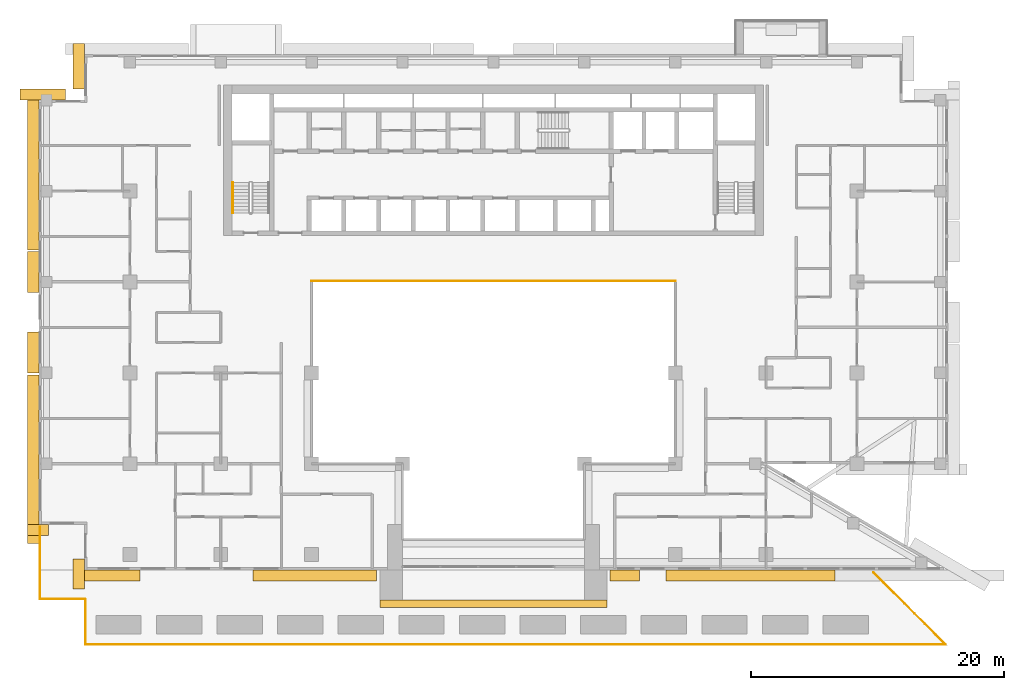
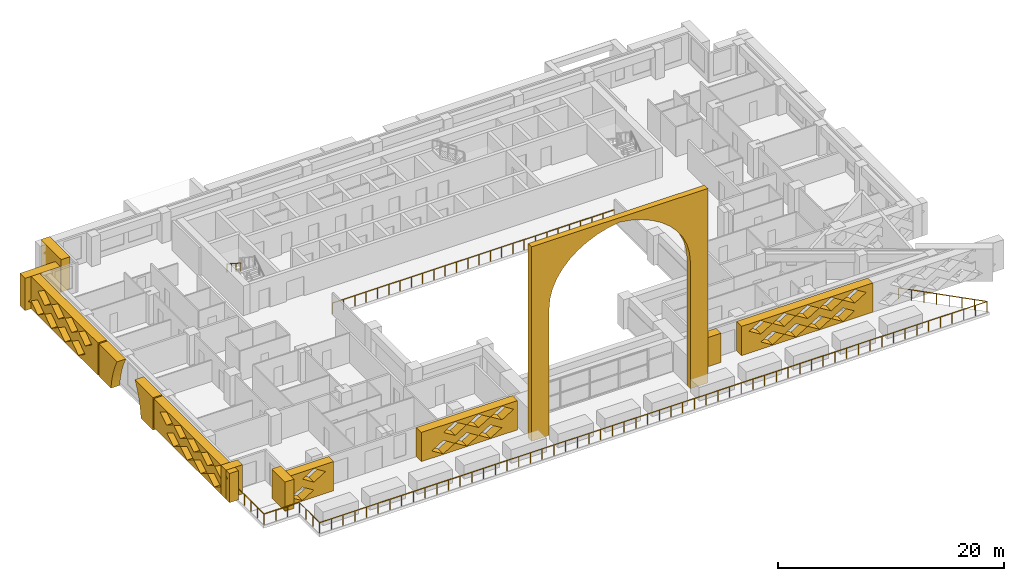
# One storey, part 14 of 17: 13 coverings, 4 railings.
"""IFC4 building model written with IfcOpenShell, lengths in metres."""

from ifc_helpers import new_model, si_unit, direction, frame, origin, origin_2d, place, context, subcontext, project, spatial, polyline, circle, outline, extrude, material, layer, layer_set, type_object, element, save


model = new_model("IFC4")

# Units and contexts
model_context = context("Model", 3, precision=1e-05, world=origin(), true_north=direction((0.0, 1.0)))
body_context = subcontext(model_context, "Body", "Model", "MODEL_VIEW")
ifc_project = project(units=[si_unit("LENGTHUNIT", "METRE"), si_unit("AREAUNIT", "SQUARE_METRE"), si_unit("VOLUMEUNIT", "CUBIC_METRE"), si_unit("PLANEANGLEUNIT", "RADIAN"), si_unit("MASSUNIT", "GRAM", prefix="KILO")], contexts=[model_context])

# Site, building, storey
site_placement = place(None, origin())
site = spatial("IfcSite", under=ifc_project, at=site_placement, CompositionType="ELEMENT")
building_placement = place(site_placement, origin())
building = spatial("IfcBuilding", under=site, at=building_placement, Name="Saffron Iwan Residences", CompositionType="ELEMENT")
storey_placement = place(building_placement, frame((0.0, 0.0, 113.0)))
storey = spatial("IfcBuildingStorey", under=building, at=storey_placement, Name="L29", CompositionType="ELEMENT", Elevation=113.0)

# Railing
ifc_material_1 = material(Name="Stainless steel 316", Category="steel")
railing_type_1 = type_object("IfcRailingType", Name="Atrium guard 1150", PredefinedType="GUARDRAIL", material=ifc_material_1)
railing_1_placement = place(storey_placement, frame((36.0, 62.47509765625, 0.0)))
element("IfcRailing", 1, at=railing_1_placement, inside=storey, type_object=railing_type_1, Name="Atrium guard L29", PredefinedType="GUARDRAIL", context=body_context, shape_type="SweptSolid", body=[
    extrude(circle(Radius=0.02392578125, at=origin_2d()), frame((0.0, 0.0, 1.1259765625), z_axis=(1.0, 0.0, 0.0), x_axis=(0.0, 1.0, 0.0)), (0.0, 0.0, 1.0), 28.800048828125),
    extrude(circle(Radius=0.02099609375, at=origin_2d()), origin(), (0.0, 0.0, 1.0), 1.101806640625),
    extrude(circle(Radius=0.02099609375, at=origin_2d()), frame((1.152099609375, 0.0, 0.0)), (0.0, 0.0, 1.0), 1.101806640625),
    extrude(circle(Radius=0.02099609375, at=origin_2d()), frame((2.303955078125, 0.0, 0.0)), (0.0, 0.0, 1.0), 1.101806640625),
    extrude(circle(Radius=0.02099609375, at=origin_2d()), frame((3.4560546875, 0.0, 0.0)), (0.0, 0.0, 1.0), 1.101806640625),
    extrude(circle(Radius=0.02099609375, at=origin_2d()), frame((4.60791015625, 0.0, 0.0)), (0.0, 0.0, 1.0), 1.101806640625),
    extrude(circle(Radius=0.02099609375, at=origin_2d()), frame((5.760009765625, 0.0, 0.0)), (0.0, 0.0, 1.0), 1.101806640625),
    extrude(circle(Radius=0.02099609375, at=origin_2d()), frame((6.912109375, 0.0, 0.0)), (0.0, 0.0, 1.0), 1.101806640625),
    extrude(circle(Radius=0.02099609375, at=origin_2d()), frame((8.06396484375, 0.0, 0.0)), (0.0, 0.0, 1.0), 1.101806640625),
    extrude(circle(Radius=0.02099609375, at=origin_2d()), frame((9.216064453125, 0.0, 0.0)), (0.0, 0.0, 1.0), 1.101806640625),
    extrude(circle(Radius=0.02099609375, at=origin_2d()), frame((10.367919921875, 0.0, 0.0)), (0.0, 0.0, 1.0), 1.101806640625),
    extrude(circle(Radius=0.02099609375, at=origin_2d()), frame((11.52001953125, 0.0, 0.0)), (0.0, 0.0, 1.0), 1.101806640625),
    extrude(circle(Radius=0.02099609375, at=origin_2d()), frame((12.672119140625, 0.0, 0.0)), (0.0, 0.0, 1.0), 1.101806640625),
    extrude(circle(Radius=0.02099609375, at=origin_2d()), frame((13.823974609375, 0.0, 0.0)), (0.0, 0.0, 1.0), 1.101806640625),
    extrude(circle(Radius=0.02099609375, at=origin_2d()), frame((14.97607421875, 0.0, 0.0)), (0.0, 0.0, 1.0), 1.101806640625),
    extrude(circle(Radius=0.02099609375, at=origin_2d()), frame((16.1279296875, 0.0, 0.0)), (0.0, 0.0, 1.0), 1.101806640625),
    extrude(circle(Radius=0.02099609375, at=origin_2d()), frame((17.280029296875, 0.0, 0.0)), (0.0, 0.0, 1.0), 1.101806640625),
    extrude(circle(Radius=0.02099609375, at=origin_2d()), frame((18.43212890625, 0.0, 0.0)), (0.0, 0.0, 1.0), 1.101806640625),
    extrude(circle(Radius=0.02099609375, at=origin_2d()), frame((19.583984375, 0.0, 0.0)), (0.0, 0.0, 1.0), 1.101806640625),
    extrude(circle(Radius=0.02099609375, at=origin_2d()), frame((20.736083984375, 0.0, 0.0)), (0.0, 0.0, 1.0), 1.101806640625),
    extrude(circle(Radius=0.02099609375, at=origin_2d()), frame((21.887939453125, 0.0, 0.0)), (0.0, 0.0, 1.0), 1.101806640625),
    extrude(circle(Radius=0.02099609375, at=origin_2d()), frame((23.0400390625, 0.0, 0.0)), (0.0, 0.0, 1.0), 1.101806640625),
    extrude(circle(Radius=0.02099609375, at=origin_2d()), frame((24.192138671875, 0.0, 0.0)), (0.0, 0.0, 1.0), 1.101806640625),
    extrude(circle(Radius=0.02099609375, at=origin_2d()), frame((25.343994140625, 0.0, 0.0)), (0.0, 0.0, 1.0), 1.101806640625),
    extrude(circle(Radius=0.02099609375, at=origin_2d()), frame((26.49609375, 0.0, 0.0)), (0.0, 0.0, 1.0), 1.101806640625),
    extrude(circle(Radius=0.02099609375, at=origin_2d()), frame((27.64794921875, 0.0, 0.0)), (0.0, 0.0, 1.0), 1.101806640625),
    extrude(circle(Radius=0.02099609375, at=origin_2d()), frame((28.800048828125, 0.0, 0.0)), (0.0, 0.0, 1.0), 1.101806640625),
])

# Coverings
ifc_material_2 = material(Name="Precast concrete C40/50 white painted", Category="concrete")
covering_type_1 = type_object("IfcCoveringType", Name="IWAN PANEL PRECAST WHITE", PredefinedType="CLADDING", material=ifc_material_2)
covering_1_placement = place(storey_placement, frame((14.39990234375, 64.800048828125, -0.300048828125), z_axis=(-1.0, 0.0, 0.0), x_axis=(0.0, -1.0, 0.0)))
element("IfcCovering", 2, at=covering_1_placement, inside=storey, type_object=covering_type_1, Name="Iwan panel L29 F8.0", PredefinedType="CLADDING", context=body_context, shape_type="SweptSolid", body=[
    extrude(outline(polyline([(0.0, 0.0), (0.0, 3.5), (3.230712890625, 3.5), (3.10498046875, 3.276611328125), (2.802001953125, 2.621337890625), (2.55126953125, 1.944580078125), (2.354736328125, 1.25), (2.21337890625, 0.5419921875), (2.149169921875, 0.0), (0.0, 0.0)])), origin(), (0.0, 0.0, 1.0), 0.89990234375),
])
covering_2_placement = place(storey_placement, frame((14.39990234375, 64.800048828125, -0.300048828125), z_axis=(-1.0, 0.0, 0.0), x_axis=(0.0, -1.0, 0.0)))
element("IfcCovering", 3, at=covering_2_placement, inside=storey, type_object=covering_type_1, Name="Iwan panel L29 F8.1", PredefinedType="CLADDING", context=body_context, shape_type="SweptSolid", body=[
    extrude(outline(polyline([(9.60009765625, 3.5), (9.60009765625, 0.0), (7.45068359375, 0.0), (7.386474609375, 0.5419921875), (7.2451171875, 1.25), (7.048583984375, 1.944580078125), (6.798095703125, 2.621337890625), (6.4951171875, 3.276611328125), (6.369384765625, 3.5), (9.60009765625, 3.5)])), origin(), (0.0, 0.0, 1.0), 0.89990234375),
])
ifc_material_3 = material(Name="Precast concrete C40/50", Category="concrete")
covering_type_2 = type_object("IfcCoveringType", Name="OUTER SKIN LATTICE SCREEN", PredefinedType="CLADDING", material=ifc_material_3)
for number, where, z_axis, x_axis, name in (
    (4, (18.0, 81.300048828125, -0.300048828125), (-1.0, 0.0, 0.0), (0.0, -1.0, 0.0), "OUTER SKIN lattice screen L29 F6.0"),
    (5, (16.5, 76.800048828125, -0.300048828125), (0.0, 1.0, 0.0), (-1.0, 0.0, 0.0), "OUTER SKIN lattice screen L29 F7.0"),
):
    element("IfcCovering", number, at=place(storey_placement, frame(where, z_axis=z_axis, x_axis=x_axis)), inside=storey, type_object=covering_type_2, Name=name, PredefinedType="CLADDING", context=body_context, shape_type="SweptSolid", body=[
        extrude(outline(polyline([(0.0, 0.0), (3.60009765625, 0.0), (3.60009765625, 3.5), (0.0, 3.5), (0.0, 0.0)]), holes=[polyline([(0.919921875, 0.875), (2.10009765625, 0.06005859375), (3.280029296875, 0.875), (2.10009765625, 1.68994140625), (0.919921875, 0.875)])]), origin(), (0.0, 0.0, 1.0), 0.89990234375),
    ])
covering_3_placement = place(storey_placement, frame((14.39990234375, 77.699951171875, -0.300048828125), z_axis=(-1.0, 0.0, 0.0), x_axis=(0.0, -1.0, 0.0)))
element("IfcCovering", 6, at=covering_3_placement, inside=storey, type_object=covering_type_2, Name="OUTER SKIN lattice screen L29 F8.0", PredefinedType="CLADDING", context=body_context, shape_type="SweptSolid", body=[
    extrude(outline(polyline([(0.0, 0.0), (12.75, 0.0), (12.75, 3.5), (0.0, 3.5), (0.0, 0.0)]), holes=[polyline([(0.919921875, 0.875), (2.10009765625, 0.06005859375), (3.280029296875, 0.875), (2.10009765625, 1.68994140625), (0.919921875, 0.875)]), polyline([(3.320068359375, 0.875), (4.5, 0.06005859375), (5.679931640625, 0.875), (4.5, 1.68994140625), (3.320068359375, 0.875)]), polyline([(5.719970703125, 0.875), (6.89990234375, 0.06005859375), (8.080078125, 0.875), (6.89990234375, 1.68994140625), (5.719970703125, 0.875)]), polyline([(8.1201171875, 0.875), (9.300048828125, 0.06005859375), (10.47998046875, 0.875), (9.300048828125, 1.68994140625), (8.1201171875, 0.875)]), polyline([(2.1201171875, 2.625), (3.300048828125, 1.81005859375), (4.47998046875, 2.625), (3.300048828125, 3.43994140625), (2.1201171875, 2.625)]), polyline([(4.52001953125, 2.625), (5.699951171875, 1.81005859375), (6.8798828125, 2.625), (5.699951171875, 3.43994140625), (4.52001953125, 2.625)]), polyline([(6.919921875, 2.625), (8.10009765625, 1.81005859375), (9.280029296875, 2.625), (8.10009765625, 3.43994140625), (6.919921875, 2.625)]), polyline([(9.320068359375, 2.625), (10.5, 1.81005859375), (11.679931640625, 2.625), (10.5, 3.43994140625), (9.320068359375, 2.625)])]), origin(), (0.0, 0.0, 1.0), 0.89990234375),
])
covering_4_placement = place(storey_placement, frame((14.39990234375, 55.050048828125, 0.050048828125), z_axis=(-1.0, 0.0, 0.0), x_axis=(0.0, -1.0, 0.0)))
element("IfcCovering", 7, at=covering_4_placement, inside=storey, type_object=covering_type_2, Name="OUTER SKIN lattice screen L29 F8.1", PredefinedType="CLADDING", context=body_context, shape_type="SweptSolid", body=[
    extrude(outline(polyline([(0.0, 0.0), (13.35009765625, 0.0), (13.35009765625, 3.14990234375), (0.0, 3.14990234375), (0.0, 0.0)]), holes=[polyline([(2.27001953125, 0.78759765625), (3.449951171875, 0.06005859375), (4.6298828125, 0.78759765625), (3.449951171875, 1.514892578125), (2.27001953125, 0.78759765625)]), polyline([(4.669921875, 0.78759765625), (5.85009765625, 0.06005859375), (7.030029296875, 0.78759765625), (5.85009765625, 1.514892578125), (4.669921875, 0.78759765625)]), polyline([(7.070068359375, 0.78759765625), (8.25, 0.06005859375), (9.429931640625, 0.78759765625), (8.25, 1.514892578125), (7.070068359375, 0.78759765625)]), polyline([(9.469970703125, 0.78759765625), (10.64990234375, 0.06005859375), (11.830078125, 0.78759765625), (10.64990234375, 1.514892578125), (9.469970703125, 0.78759765625)]), polyline([(1.070068359375, 2.362548828125), (2.25, 1.635009765625), (3.429931640625, 2.362548828125), (2.25, 3.090087890625), (1.070068359375, 2.362548828125)]), polyline([(3.469970703125, 2.362548828125), (4.64990234375, 1.635009765625), (5.830078125, 2.362548828125), (4.64990234375, 3.090087890625), (3.469970703125, 2.362548828125)]), polyline([(5.8701171875, 2.362548828125), (7.050048828125, 1.635009765625), (8.22998046875, 2.362548828125), (7.050048828125, 3.090087890625), (5.8701171875, 2.362548828125)]), polyline([(8.27001953125, 2.362548828125), (9.449951171875, 1.635009765625), (10.6298828125, 2.362548828125), (9.449951171875, 3.090087890625), (8.27001953125, 2.362548828125)]), polyline([(10.669921875, 2.362548828125), (11.85009765625, 1.635009765625), (13.030029296875, 2.362548828125), (11.85009765625, 3.090087890625), (10.669921875, 2.362548828125)])]), origin(), (0.0, 0.0, 1.0), 0.89990234375),
])
covering_5_placement = place(storey_placement, frame((13.5, 43.199951171875, 0.050048828125), z_axis=(0.0, -1.0, 0.0), x_axis=(1.0, 0.0, 0.0)))
element("IfcCovering", 8, at=covering_5_placement, inside=storey, type_object=covering_type_2, Name="OUTER SKIN lattice screen L29 F9.0", PredefinedType="CLADDING", context=body_context, shape_type="SweptSolid", body=[
    extrude(outline(polyline([(0.0, 0.0), (1.675048828125, 0.0), (1.675048828125, 3.14990234375), (0.0, 3.14990234375), (0.0, 0.0)])), origin(), (0.0, 0.0, 1.0), 0.89990234375),
])
covering_6_placement = place(storey_placement, frame((18.0, 40.449951171875, 0.050048828125), z_axis=(-1.0, 0.0, 0.0), x_axis=(0.0, -1.0, 0.0)))
element("IfcCovering", 9, at=covering_6_placement, inside=storey, type_object=covering_type_2, Name="OUTER SKIN lattice screen L29 F10.0", PredefinedType="CLADDING", context=body_context, shape_type="SweptSolid", body=[
    extrude(outline(polyline([(0.0, 0.0), (2.35009765625, 0.0), (2.35009765625, 3.14990234375), (0.0, 3.14990234375), (0.0, 0.0)])), origin(), (0.0, 0.0, 1.0), 0.89990234375),
])
covering_7_placement = place(storey_placement, frame((17.10009765625, 39.60009765625, 0.050048828125), z_axis=(0.0, -1.0, 0.0), x_axis=(1.0, 0.0, 0.0)))
element("IfcCovering", 10, at=covering_7_placement, inside=storey, type_object=covering_type_2, Name="OUTER SKIN lattice screen L29 F11.0", PredefinedType="CLADDING", context=body_context, shape_type="SweptSolid", body=[
    extrude(outline(polyline([(0.0, 0.0), (5.31298828125, 0.0), (5.31298828125, 3.14990234375), (0.0, 3.14990234375), (0.0, 0.0)]), holes=[polyline([(0.919921875, 0.78759765625), (2.10009765625, 0.06005859375), (3.280029296875, 0.78759765625), (2.10009765625, 1.514892578125), (0.919921875, 0.78759765625)]), polyline([(2.1201171875, 2.362548828125), (3.300048828125, 1.635009765625), (4.47998046875, 2.362548828125), (3.300048828125, 3.090087890625), (2.1201171875, 2.362548828125)])]), origin(), (0.0, 0.0, 1.0), 0.900146484375),
])
covering_8_placement = place(storey_placement, frame((31.35009765625, 39.60009765625, 0.050048828125), z_axis=(0.0, -1.0, 0.0), x_axis=(1.0, 0.0, 0.0)))
element("IfcCovering", 11, at=covering_8_placement, inside=storey, type_object=covering_type_2, Name="OUTER SKIN lattice screen L29 F11.1", PredefinedType="CLADDING", context=body_context, shape_type="SweptSolid", body=[
    extrude(outline(polyline([(0.0, 0.0), (9.800048828125, 0.0), (9.800048828125, 3.14990234375), (0.0, 3.14990234375), (0.0, 0.0)]), holes=[polyline([(1.070068359375, 0.78759765625), (2.25, 0.06005859375), (3.429931640625, 0.78759765625), (2.25, 1.514892578125), (1.070068359375, 0.78759765625)]), polyline([(3.469970703125, 0.78759765625), (4.64990234375, 0.06005859375), (5.830078125, 0.78759765625), (4.64990234375, 1.514892578125), (3.469970703125, 0.78759765625)]), polyline([(5.8701171875, 0.78759765625), (7.050048828125, 0.06005859375), (8.22998046875, 0.78759765625), (7.050048828125, 1.514892578125), (5.8701171875, 0.78759765625)]), polyline([(2.27001953125, 2.362548828125), (3.449951171875, 1.635009765625), (4.6298828125, 2.362548828125), (3.449951171875, 3.090087890625), (2.27001953125, 2.362548828125)]), polyline([(4.669921875, 2.362548828125), (5.85009765625, 1.635009765625), (7.030029296875, 2.362548828125), (5.85009765625, 3.090087890625), (4.669921875, 2.362548828125)]), polyline([(7.070068359375, 2.362548828125), (8.25, 1.635009765625), (9.429931640625, 2.362548828125), (8.25, 3.090087890625), (7.070068359375, 2.362548828125)])]), origin(), (0.0, 0.0, 1.0), 0.900146484375),
])
covering_9_placement = place(storey_placement, frame((59.64990234375, 39.60009765625, 0.050048828125), z_axis=(0.0, -1.0, 0.0), x_axis=(1.0, 0.0, 0.0)))
element("IfcCovering", 12, at=covering_9_placement, inside=storey, type_object=covering_type_2, Name="OUTER SKIN lattice screen L29 F11.2", PredefinedType="CLADDING", context=body_context, shape_type="SweptSolid", body=[
    extrude(outline(polyline([(0.0, 0.0), (2.300048828125, 0.0), (2.300048828125, 3.14990234375), (0.0, 3.14990234375), (0.0, 0.0)])), origin(), (0.0, 0.0, 1.0), 0.900146484375),
])
covering_10_placement = place(storey_placement, frame((64.050048828125, 39.60009765625, 0.050048828125), z_axis=(0.0, -1.0, 0.0), x_axis=(1.0, 0.0, 0.0)))
element("IfcCovering", 13, at=covering_10_placement, inside=storey, type_object=covering_type_2, Name="OUTER SKIN lattice screen L29 F11.3", PredefinedType="CLADDING", context=body_context, shape_type="SweptSolid", body=[
    extrude(outline(polyline([(0.0, 0.0), (13.394287109375, 0.0), (13.394287109375, 3.14990234375), (0.0, 3.14990234375), (0.0, 0.0)]), holes=[polyline([(1.969970703125, 0.78759765625), (3.14990234375, 0.06005859375), (4.330078125, 0.78759765625), (3.14990234375, 1.514892578125), (1.969970703125, 0.78759765625)]), polyline([(4.3701171875, 0.78759765625), (5.550048828125, 0.06005859375), (6.72998046875, 0.78759765625), (5.550048828125, 1.514892578125), (4.3701171875, 0.78759765625)]), polyline([(6.77001953125, 0.78759765625), (7.949951171875, 0.06005859375), (9.1298828125, 0.78759765625), (7.949951171875, 1.514892578125), (6.77001953125, 0.78759765625)]), polyline([(9.169921875, 0.78759765625), (10.35009765625, 0.06005859375), (11.530029296875, 0.78759765625), (10.35009765625, 1.514892578125), (9.169921875, 0.78759765625)]), polyline([(0.77001953125, 2.362548828125), (1.949951171875, 1.635009765625), (3.1298828125, 2.362548828125), (1.949951171875, 3.090087890625), (0.77001953125, 2.362548828125)]), polyline([(3.169921875, 2.362548828125), (4.35009765625, 1.635009765625), (5.530029296875, 2.362548828125), (4.35009765625, 3.090087890625), (3.169921875, 2.362548828125)]), polyline([(5.570068359375, 2.362548828125), (6.75, 1.635009765625), (7.929931640625, 2.362548828125), (6.75, 3.090087890625), (5.570068359375, 2.362548828125)]), polyline([(7.969970703125, 2.362548828125), (9.14990234375, 1.635009765625), (10.330078125, 2.362548828125), (9.14990234375, 3.090087890625), (7.969970703125, 2.362548828125)]), polyline([(10.3701171875, 2.362548828125), (11.550048828125, 1.635009765625), (12.72998046875, 2.362548828125), (11.550048828125, 3.090087890625), (10.3701171875, 2.362548828125)])]), origin(), (0.0, 0.0, 1.0), 0.900146484375),
])
ifc_material_4 = material(Name="Terracotta screen, precast concrete C40/50", Category="masonry")
ifc_layer = layer(ifc_material_4, 0.60009765625)
ifc_layer_set = layer_set([ifc_layer], Name="Terracotta screen, precast concrete C40/50")
covering_type_3 = type_object("IfcCoveringType", Name="Portal arch, precast concrete (tower)", PredefinedType="CLADDING", material=ifc_layer_set)
covering_11_placement = place(storey_placement, frame((41.39990234375, 37.199951171875, 0.0), z_axis=(0.0, 1.0, 0.0), x_axis=(0.0, 0.0, 1.0)))
element("IfcCovering", 14, at=covering_11_placement, inside=storey, type_object=covering_type_3, Name="PORTAL ARCH L29-L34", PredefinedType="CLADDING", context=body_context, shape_type="SweptSolid", body=[
    extrude(outline(polyline([(0.0, 0.0), (21.0, 0.0), (21.0, 18.0), (0.0, 18.0), (0.0, 16.2001953125), (13.78125, 16.2001953125), (14.755859375, 16.114013671875), (15.709716796875, 15.859130859375), (16.62353515625, 15.439208984375), (17.478515625, 14.864013671875), (18.2568359375, 14.14501953125), (18.942626953125, 13.297119140625), (19.52099609375, 12.337158203125), (19.981201171875, 11.287109375), (20.311767578125, 10.1669921875), (20.5078125, 9.0), (20.311767578125, 7.8330078125), (19.981201171875, 6.713134765625), (19.52099609375, 5.6630859375), (18.942626953125, 4.703125), (18.2568359375, 3.85498046875), (17.478515625, 3.135986328125), (16.62353515625, 2.56103515625), (15.709716796875, 2.14111328125), (14.755859375, 1.885986328125), (13.78125, 1.800048828125), (0.0, 1.800048828125), (0.0, 0.0)])), origin(), (0.0, 0.0, -1.0), 0.60009765625),
])

# Railings
railing_type_2 = type_object("IfcRailingType", Name="Stair handrail 900", PredefinedType="HANDRAIL", material=ifc_material_1)
railing_2_placement = place(storey_placement, frame((29.75, 70.280029296875, 1.925048828125)))
element("IfcRailing", 15, at=railing_2_placement, inside=storey, type_object=railing_type_2, Name="L29 ST-W stair handrail 2", PredefinedType="HANDRAIL", context=body_context, shape_type="SweptSolid", body=[
    extrude(circle(Radius=0.02392578125, at=origin_2d()), frame((0.0, 0.0, 0.8759765625), z_axis=(0.0, -0.839153699163, 0.543894354798), x_axis=(1.0, 0.0, 0.0)), (0.0, 0.0, 1.0), 2.895751953125),
    extrude(circle(Radius=0.02099609375, at=origin_2d()), origin(), (0.0, 0.0, 1.0), 0.851806640625),
    extrude(circle(Radius=0.02099609375, at=origin_2d()), frame((0.0, -0.81005859375, 0.52490234375)), (0.0, 0.0, 1.0), 0.851806640625),
    extrude(circle(Radius=0.02099609375, at=origin_2d()), frame((0.0, -1.619873046875, 1.050048828125)), (0.0, 0.0, 1.0), 0.851806640625),
    extrude(circle(Radius=0.02099609375, at=origin_2d()), frame((0.0, -2.429931640625, 1.574951171875)), (0.0, 0.0, 1.0), 0.851806640625),
])
railing_type_3 = type_object("IfcRailingType", Name="TERRACE GUARD 1150", PredefinedType="BALUSTRADE", material=ifc_material_1)
railing_3_placement = place(storey_placement, frame((14.47509765625, 37.27490234375, 0.050048828125)))
element("IfcRailing", 16, at=railing_3_placement, inside=storey, type_object=railing_type_3, Name="Terrace guard L29 1", PredefinedType="BALUSTRADE", context=body_context, shape_type="SweptSolid", body=[
    extrude(circle(Radius=0.02392578125, at=origin_2d()), frame((0.0, 0.0, 1.1259765625), z_axis=(0.0, 1.0, 0.0), x_axis=(-1.0, 0.0, 0.0)), (0.0, 0.0, 1.0), 5.72509765625),
    extrude(circle(Radius=0.02099609375, at=origin_2d()), origin(), (0.0, 0.0, 1.0), 1.101806640625),
    extrude(circle(Radius=0.02099609375, at=origin_2d()), frame((0.0, 1.14501953125, 0.0)), (0.0, 0.0, 1.0), 1.101806640625),
    extrude(circle(Radius=0.02099609375, at=origin_2d()), frame((0.0, 2.2900390625, 0.0)), (0.0, 0.0, 1.0), 1.101806640625),
    extrude(circle(Radius=0.02099609375, at=origin_2d()), frame((0.0, 3.43505859375, 0.0)), (0.0, 0.0, 1.0), 1.101806640625),
    extrude(circle(Radius=0.02099609375, at=origin_2d()), frame((0.0, 4.580078125, 0.0)), (0.0, 0.0, 1.0), 1.101806640625),
    extrude(circle(Radius=0.02099609375, at=origin_2d()), frame((0.0, 5.72509765625, 0.0)), (0.0, 0.0, 1.0), 1.101806640625),
])
railing_4_placement = place(storey_placement, frame((80.493896484375, 39.39990234375, 0.050048828125)))
element("IfcRailing", 17, at=railing_4_placement, inside=storey, type_object=railing_type_3, Name="Terrace guard L29 2", PredefinedType="BALUSTRADE", context=body_context, shape_type="SweptSolid", body=[
    extrude(circle(Radius=0.02392578125, at=origin_2d()), frame((0.0, 0.0, 1.1259765625), z_axis=(0.707121858251, -0.707091703801, 0.0), x_axis=(0.707091703801, 0.707121858251, 0.0)), (0.0, 0.0, 1.0), 8.096435546875),
    extrude(circle(Radius=0.02392578125, at=origin_2d()), frame((5.72509765625, -5.724853515625, 1.1259765625), z_axis=(-1.0, 0.0, 0.0), x_axis=(0.0, -1.0, 0.0)), (0.0, 0.0, 1.0), 68.14404296875),
    extrude(circle(Radius=0.02392578125, at=origin_2d()), frame((-62.4189453125, -5.724853515625, 1.1259765625), z_axis=(0.0, 1.0, 0.0), x_axis=(-1.0, 0.0, 0.0)), (0.0, 0.0, 1.0), 3.599853515625),
    extrude(circle(Radius=0.02392578125, at=origin_2d()), frame((-62.4189453125, -2.125, 1.1259765625), z_axis=(-1.0, 0.0, 0.0), x_axis=(0.0, -1.0, 0.0)), (0.0, 0.0, 1.0), 3.599853515625),
    extrude(circle(Radius=0.02099609375, at=origin_2d()), origin(), (0.0, 0.0, 1.0), 1.101806640625),
    extrude(circle(Radius=0.02099609375, at=origin_2d()), frame((0.81787109375, -0.81787109375, 0.0)), (0.0, 0.0, 1.0), 1.101806640625),
    extrude(circle(Radius=0.02099609375, at=origin_2d()), frame((1.6357421875, -1.6357421875, 0.0)), (0.0, 0.0, 1.0), 1.101806640625),
    extrude(circle(Radius=0.02099609375, at=origin_2d()), frame((2.45361328125, -2.45361328125, 0.0)), (0.0, 0.0, 1.0), 1.101806640625),
    extrude(circle(Radius=0.02099609375, at=origin_2d()), frame((3.271484375, -3.271240234375, 0.0)), (0.0, 0.0, 1.0), 1.101806640625),
    extrude(circle(Radius=0.02099609375, at=origin_2d()), frame((4.08935546875, -4.089111328125, 0.0)), (0.0, 0.0, 1.0), 1.101806640625),
    extrude(circle(Radius=0.02099609375, at=origin_2d()), frame((4.9072265625, -4.906982421875, 0.0)), (0.0, 0.0, 1.0), 1.101806640625),
    extrude(circle(Radius=0.02099609375, at=origin_2d()), frame((5.72509765625, -5.724853515625, 0.0)), (0.0, 0.0, 1.0), 1.101806640625),
    extrude(circle(Radius=0.02099609375, at=origin_2d()), frame((4.529541015625, -5.724853515625, 0.0)), (0.0, 0.0, 1.0), 1.101806640625),
    extrude(circle(Radius=0.02099609375, at=origin_2d()), frame((3.333984375, -5.724853515625, 0.0)), (0.0, 0.0, 1.0), 1.101806640625),
    extrude(circle(Radius=0.02099609375, at=origin_2d()), frame((2.138671875, -5.724853515625, 0.0)), (0.0, 0.0, 1.0), 1.101806640625),
    extrude(circle(Radius=0.02099609375, at=origin_2d()), frame((0.943115234375, -5.724853515625, 0.0)), (0.0, 0.0, 1.0), 1.101806640625),
    extrude(circle(Radius=0.02099609375, at=origin_2d()), frame((-0.25244140625, -5.724853515625, 0.0)), (0.0, 0.0, 1.0), 1.101806640625),
    extrude(circle(Radius=0.02099609375, at=origin_2d()), frame((-1.447998046875, -5.724853515625, 0.0)), (0.0, 0.0, 1.0), 1.101806640625),
    extrude(circle(Radius=0.02099609375, at=origin_2d()), frame((-2.6435546875, -5.724853515625, 0.0)), (0.0, 0.0, 1.0), 1.101806640625),
    extrude(circle(Radius=0.02099609375, at=origin_2d()), frame((-3.8388671875, -5.724853515625, 0.0)), (0.0, 0.0, 1.0), 1.101806640625),
    extrude(circle(Radius=0.02099609375, at=origin_2d()), frame((-5.034423828125, -5.724853515625, 0.0)), (0.0, 0.0, 1.0), 1.101806640625),
    extrude(circle(Radius=0.02099609375, at=origin_2d()), frame((-6.22998046875, -5.724853515625, 0.0)), (0.0, 0.0, 1.0), 1.101806640625),
    extrude(circle(Radius=0.02099609375, at=origin_2d()), frame((-7.425537109375, -5.724853515625, 0.0)), (0.0, 0.0, 1.0), 1.101806640625),
    extrude(circle(Radius=0.02099609375, at=origin_2d()), frame((-8.62109375, -5.724853515625, 0.0)), (0.0, 0.0, 1.0), 1.101806640625),
    extrude(circle(Radius=0.02099609375, at=origin_2d()), frame((-9.81640625, -5.724853515625, 0.0)), (0.0, 0.0, 1.0), 1.101806640625),
    extrude(circle(Radius=0.02099609375, at=origin_2d()), frame((-11.011962890625, -5.724853515625, 0.0)), (0.0, 0.0, 1.0), 1.101806640625),
    extrude(circle(Radius=0.02099609375, at=origin_2d()), frame((-12.20751953125, -5.724853515625, 0.0)), (0.0, 0.0, 1.0), 1.101806640625),
    extrude(circle(Radius=0.02099609375, at=origin_2d()), frame((-13.403076171875, -5.724853515625, 0.0)), (0.0, 0.0, 1.0), 1.101806640625),
    extrude(circle(Radius=0.02099609375, at=origin_2d()), frame((-14.5986328125, -5.724853515625, 0.0)), (0.0, 0.0, 1.0), 1.101806640625),
    extrude(circle(Radius=0.02099609375, at=origin_2d()), frame((-15.794189453125, -5.724853515625, 0.0)), (0.0, 0.0, 1.0), 1.101806640625),
    extrude(circle(Radius=0.02099609375, at=origin_2d()), frame((-16.989501953125, -5.724853515625, 0.0)), (0.0, 0.0, 1.0), 1.101806640625),
    extrude(circle(Radius=0.02099609375, at=origin_2d()), frame((-18.18505859375, -5.724853515625, 0.0)), (0.0, 0.0, 1.0), 1.101806640625),
    extrude(circle(Radius=0.02099609375, at=origin_2d()), frame((-19.380615234375, -5.724853515625, 0.0)), (0.0, 0.0, 1.0), 1.101806640625),
    extrude(circle(Radius=0.02099609375, at=origin_2d()), frame((-20.576171875, -5.724853515625, 0.0)), (0.0, 0.0, 1.0), 1.101806640625),
    extrude(circle(Radius=0.02099609375, at=origin_2d()), frame((-21.771728515625, -5.724853515625, 0.0)), (0.0, 0.0, 1.0), 1.101806640625),
    extrude(circle(Radius=0.02099609375, at=origin_2d()), frame((-22.967041015625, -5.724853515625, 0.0)), (0.0, 0.0, 1.0), 1.101806640625),
    extrude(circle(Radius=0.02099609375, at=origin_2d()), frame((-24.16259765625, -5.724853515625, 0.0)), (0.0, 0.0, 1.0), 1.101806640625),
    extrude(circle(Radius=0.02099609375, at=origin_2d()), frame((-25.358154296875, -5.724853515625, 0.0)), (0.0, 0.0, 1.0), 1.101806640625),
    extrude(circle(Radius=0.02099609375, at=origin_2d()), frame((-26.5537109375, -5.724853515625, 0.0)), (0.0, 0.0, 1.0), 1.101806640625),
    extrude(circle(Radius=0.02099609375, at=origin_2d()), frame((-27.749267578125, -5.724853515625, 0.0)), (0.0, 0.0, 1.0), 1.101806640625),
    extrude(circle(Radius=0.02099609375, at=origin_2d()), frame((-28.944580078125, -5.724853515625, 0.0)), (0.0, 0.0, 1.0), 1.101806640625),
    extrude(circle(Radius=0.02099609375, at=origin_2d()), frame((-30.14013671875, -5.724853515625, 0.0)), (0.0, 0.0, 1.0), 1.101806640625),
    extrude(circle(Radius=0.02099609375, at=origin_2d()), frame((-31.335693359375, -5.724853515625, 0.0)), (0.0, 0.0, 1.0), 1.101806640625),
    extrude(circle(Radius=0.02099609375, at=origin_2d()), frame((-32.53125, -5.724853515625, 0.0)), (0.0, 0.0, 1.0), 1.101806640625),
    extrude(circle(Radius=0.02099609375, at=origin_2d()), frame((-33.726806640625, -5.724853515625, 0.0)), (0.0, 0.0, 1.0), 1.101806640625),
    extrude(circle(Radius=0.02099609375, at=origin_2d()), frame((-34.922119140625, -5.724853515625, 0.0)), (0.0, 0.0, 1.0), 1.101806640625),
    extrude(circle(Radius=0.02099609375, at=origin_2d()), frame((-36.11767578125, -5.724853515625, 0.0)), (0.0, 0.0, 1.0), 1.101806640625),
    extrude(circle(Radius=0.02099609375, at=origin_2d()), frame((-37.313232421875, -5.724853515625, 0.0)), (0.0, 0.0, 1.0), 1.101806640625),
    extrude(circle(Radius=0.02099609375, at=origin_2d()), frame((-38.5087890625, -5.724853515625, 0.0)), (0.0, 0.0, 1.0), 1.101806640625),
    extrude(circle(Radius=0.02099609375, at=origin_2d()), frame((-39.704345703125, -5.724853515625, 0.0)), (0.0, 0.0, 1.0), 1.101806640625),
    extrude(circle(Radius=0.02099609375, at=origin_2d()), frame((-40.899658203125, -5.724853515625, 0.0)), (0.0, 0.0, 1.0), 1.101806640625),
    extrude(circle(Radius=0.02099609375, at=origin_2d()), frame((-42.09521484375, -5.724853515625, 0.0)), (0.0, 0.0, 1.0), 1.101806640625),
    extrude(circle(Radius=0.02099609375, at=origin_2d()), frame((-43.290771484375, -5.724853515625, 0.0)), (0.0, 0.0, 1.0), 1.101806640625),
    extrude(circle(Radius=0.02099609375, at=origin_2d()), frame((-44.486328125, -5.724853515625, 0.0)), (0.0, 0.0, 1.0), 1.101806640625),
    extrude(circle(Radius=0.02099609375, at=origin_2d()), frame((-45.681884765625, -5.724853515625, 0.0)), (0.0, 0.0, 1.0), 1.101806640625),
    extrude(circle(Radius=0.02099609375, at=origin_2d()), frame((-46.87744140625, -5.724853515625, 0.0)), (0.0, 0.0, 1.0), 1.101806640625),
    extrude(circle(Radius=0.02099609375, at=origin_2d()), frame((-48.07275390625, -5.724853515625, 0.0)), (0.0, 0.0, 1.0), 1.101806640625),
    extrude(circle(Radius=0.02099609375, at=origin_2d()), frame((-49.268310546875, -5.724853515625, 0.0)), (0.0, 0.0, 1.0), 1.101806640625),
    extrude(circle(Radius=0.02099609375, at=origin_2d()), frame((-50.4638671875, -5.724853515625, 0.0)), (0.0, 0.0, 1.0), 1.101806640625),
    extrude(circle(Radius=0.02099609375, at=origin_2d()), frame((-51.659423828125, -5.724853515625, 0.0)), (0.0, 0.0, 1.0), 1.101806640625),
    extrude(circle(Radius=0.02099609375, at=origin_2d()), frame((-52.85498046875, -5.724853515625, 0.0)), (0.0, 0.0, 1.0), 1.101806640625),
    extrude(circle(Radius=0.02099609375, at=origin_2d()), frame((-54.05029296875, -5.724853515625, 0.0)), (0.0, 0.0, 1.0), 1.101806640625),
    extrude(circle(Radius=0.02099609375, at=origin_2d()), frame((-55.245849609375, -5.724853515625, 0.0)), (0.0, 0.0, 1.0), 1.101806640625),
    extrude(circle(Radius=0.02099609375, at=origin_2d()), frame((-56.44140625, -5.724853515625, 0.0)), (0.0, 0.0, 1.0), 1.101806640625),
    extrude(circle(Radius=0.02099609375, at=origin_2d()), frame((-57.636962890625, -5.724853515625, 0.0)), (0.0, 0.0, 1.0), 1.101806640625),
    extrude(circle(Radius=0.02099609375, at=origin_2d()), frame((-58.83251953125, -5.724853515625, 0.0)), (0.0, 0.0, 1.0), 1.101806640625),
    extrude(circle(Radius=0.02099609375, at=origin_2d()), frame((-60.02783203125, -5.724853515625, 0.0)), (0.0, 0.0, 1.0), 1.101806640625),
    extrude(circle(Radius=0.02099609375, at=origin_2d()), frame((-61.223388671875, -5.724853515625, 0.0)), (0.0, 0.0, 1.0), 1.101806640625),
    extrude(circle(Radius=0.02099609375, at=origin_2d()), frame((-62.4189453125, -5.724853515625, 0.0)), (0.0, 0.0, 1.0), 1.101806640625),
    extrude(circle(Radius=0.02099609375, at=origin_2d()), frame((-62.4189453125, -4.52490234375, 0.0)), (0.0, 0.0, 1.0), 1.101806640625),
    extrude(circle(Radius=0.02099609375, at=origin_2d()), frame((-62.4189453125, -3.324951171875, 0.0)), (0.0, 0.0, 1.0), 1.101806640625),
    extrude(circle(Radius=0.02099609375, at=origin_2d()), frame((-62.4189453125, -2.125, 0.0)), (0.0, 0.0, 1.0), 1.101806640625),
    extrude(circle(Radius=0.02099609375, at=origin_2d()), frame((-63.618896484375, -2.125, 0.0)), (0.0, 0.0, 1.0), 1.101806640625),
    extrude(circle(Radius=0.02099609375, at=origin_2d()), frame((-64.81884765625, -2.125, 0.0)), (0.0, 0.0, 1.0), 1.101806640625),
    extrude(circle(Radius=0.02099609375, at=origin_2d()), frame((-66.018798828125, -2.125, 0.0)), (0.0, 0.0, 1.0), 1.101806640625),
])

save(model, "model.ifc")
